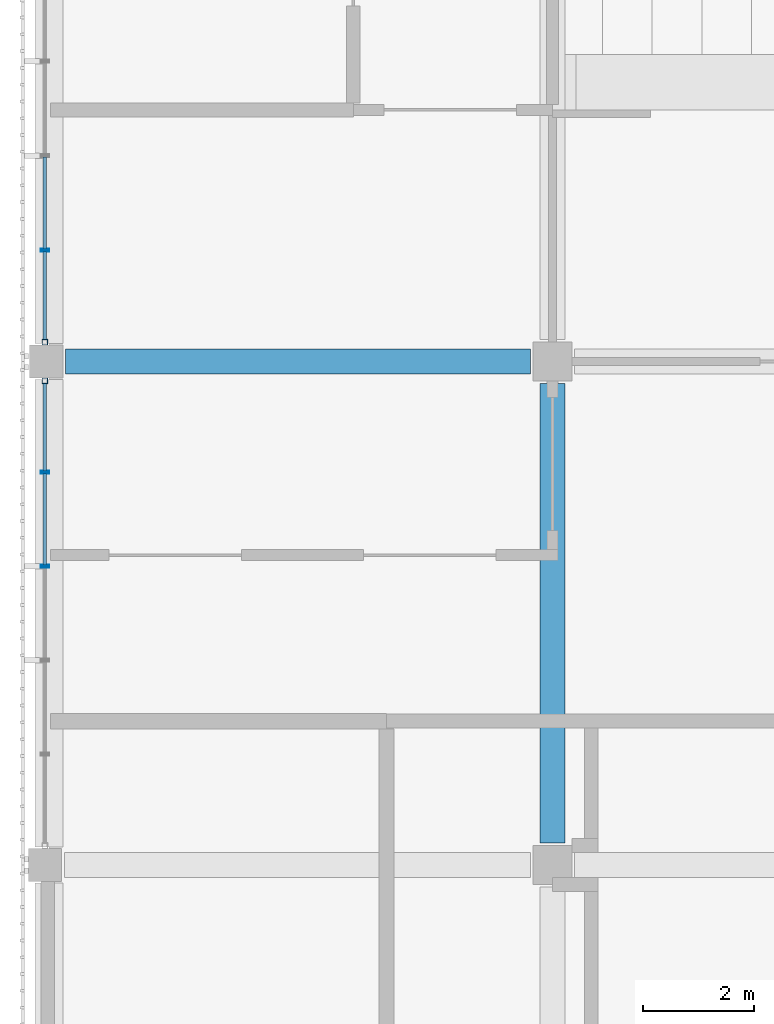
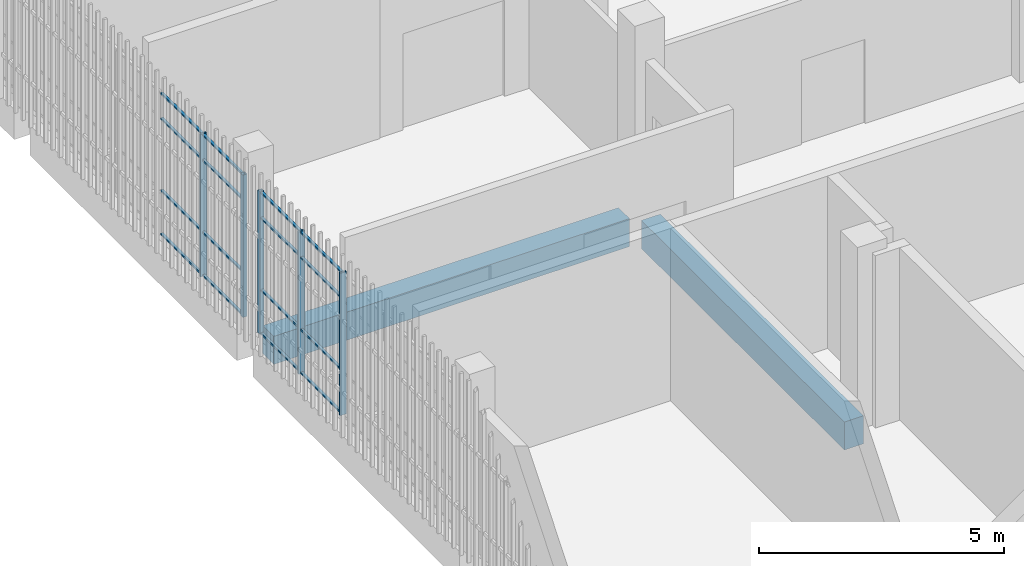
# One storey, part 14 of 139: 21 members, 2 beams, 2 elements without a shape of their own.
"""IFC4 building model written with IfcOpenShell, lengths in metres."""

import ifcopenshell
import ifcopenshell.guid

model = None  # the IFC model being written
_history = None  # IfcOwnerHistory: only IFC2X3 demands one
_inside = {}  # id of a spatial element -> (the spatial element, [elements in it])
_under = {}  # id of a project, library or spatial element -> (it, [spatial elements below it])
_declared = {}  # id of a project -> (the project, [libraries it declares])
_typed = {}  # id of a type object -> (the type object, [elements of that type])
_made_of = {}  # id of a material, layer set ... -> (it, [elements and type objects made of it])


def new_model(schema):
    """Start an empty IFC model of exactly this schema.

    Asked for "IFC4X3", IfcOpenShell would pick the latest addendum, in which some entities
    have other attributes; the version numbers below select the first issue.
    IFC2X3 requires an IfcOwnerHistory on every rooted entity: one is made here for all.
    """
    global model, _history
    if schema == "IFC4X3":
        model = ifcopenshell.file(schema_version=(4, 3, 0, 0))
    else:
        model = ifcopenshell.file(schema=schema)
    _inside.clear()
    _under.clear()
    _declared.clear()
    _typed.clear()
    _made_of.clear()
    _history = None
    if model.schema == "IFC2X3":
        org = make("IfcOrganization", Name="unknown")
        user = make(
            "IfcPersonAndOrganization",
            ThePerson=make("IfcPerson", FamilyName="unknown"),
            TheOrganization=org,
        )
        app = make(
            "IfcApplication",
            ApplicationDeveloper=org,
            Version="unknown",
            ApplicationFullName="unknown",
            ApplicationIdentifier="unknown",
        )
        _history = make(
            "IfcOwnerHistory",
            OwningUser=user,
            OwningApplication=app,
            ChangeAction="ADDED",
            CreationDate=0,
        )
    return model


def make(cls, **values):
    """One entity of the class cls with the attributes given. An attribute that is None is left unset."""
    return model.create_entity(
        cls, **{name: value for name, value in values.items() if value is not None}
    )


def rooted(cls, **values):
    """An entity with a GlobalId (a new one), such as an element, a storey or a relation."""
    return make(cls, GlobalId=ifcopenshell.guid.new(), OwnerHistory=_history, **values)


def si_unit(unit_type, name, prefix=None):
    """IfcSIUnit, for example si_unit("LENGTHUNIT", "METRE", prefix="MILLI")."""
    return make("IfcSIUnit", UnitType=unit_type, Prefix=prefix, Name=name)


def assignment(units):
    """IfcUnitAssignment: the units of a project."""
    return None if units is None else make("IfcUnitAssignment", Units=units)


def point(xyz):
    """IfcCartesianPoint."""
    return None if xyz is None else make("IfcCartesianPoint", Coordinates=xyz)


def direction(xyz):
    """IfcDirection."""
    return None if xyz is None else make("IfcDirection", DirectionRatios=xyz)


def frame(location, z_axis=None, x_axis=None):
    """IfcAxis2Placement3D, a coordinate frame: its origin and axes. An axis left out is left unset."""
    return make(
        "IfcAxis2Placement3D",
        Location=point(location),
        Axis=direction(z_axis),
        RefDirection=direction(x_axis),
    )


def frame_2d(location, x_axis=None):
    """IfcAxis2Placement2D, a coordinate frame in the plane: its origin and x axis."""
    return make(
        "IfcAxis2Placement2D", Location=point(location), RefDirection=direction(x_axis)
    )


def origin():
    """The frame at (0, 0, 0) with its axes left unset."""
    return frame((0.0, 0.0, 0.0))


def origin_2d():
    """The frame at (0, 0) in the plane with its x axis left unset."""
    return frame_2d((0.0, 0.0))


def place(relative_to, where):
    """IfcLocalPlacement: puts the frame where relative to a parent placement (None: the world)."""
    return make(
        "IfcLocalPlacement", PlacementRelTo=relative_to, RelativePlacement=where
    )


def context(
    kind, dimensions, precision=None, world=None, true_north=None, identifier=None
):
    """IfcGeometricRepresentationContext, for example the 3D "Model" context."""
    return make(
        "IfcGeometricRepresentationContext",
        ContextIdentifier=identifier,
        ContextType=kind,
        CoordinateSpaceDimension=dimensions,
        Precision=precision,
        WorldCoordinateSystem=world,
        TrueNorth=true_north,
    )


def subcontext(parent, identifier, kind, view, scale=None):
    """IfcGeometricRepresentationSubContext, for example "Body" below "Model"."""
    return make(
        "IfcGeometricRepresentationSubContext",
        ContextIdentifier=identifier,
        ContextType=kind,
        ParentContext=parent,
        TargetScale=scale,
        TargetView=view,
    )


def project(units=None, contexts=None):
    """IfcProject with its units and contexts."""
    return rooted(
        "IfcProject",
        Name="project",
        RepresentationContexts=contexts,
        UnitsInContext=assignment(units),
    )


def spatial(cls, under=None, at=None, **own):
    """A site, building, storey or space (cls), placed at a placement, below another one or the project."""
    s = rooted(cls, ObjectPlacement=at, **own)
    if under is not None:
        _under.setdefault(under.id(), (under, []))[1].append(s)
    return s


def profile(cls, at=None, kind="AREA", **sizes):
    """A parametric profile (cls). Its sizes go by their IFC names, for example OverallWidth=200.0."""
    return make(cls, ProfileType=kind, Position=at, **sizes)


def rectangle(**sizes):
    """IfcRectangleProfileDef."""
    return profile("IfcRectangleProfileDef", **sizes)


def hollow_rectangle(**sizes):
    """IfcRectangleHollowProfileDef."""
    return profile("IfcRectangleHollowProfileDef", **sizes)


def extrude(swept, where, along, depth):
    """IfcExtrudedAreaSolid: the profile swept, set in the frame where, extruded along a direction by depth."""
    return make(
        "IfcExtrudedAreaSolid",
        SweptArea=swept,
        Position=where,
        ExtrudedDirection=direction(along),
        Depth=depth,
    )


def shape(context_of_items, identifier, shape_type, items):
    """IfcShapeRepresentation: the items that make up one representation, for example the "Body"."""
    return make(
        "IfcShapeRepresentation",
        ContextOfItems=context_of_items,
        RepresentationIdentifier=identifier,
        RepresentationType=shape_type,
        Items=items,
    )


def material(Name=None, Category=None):
    """IfcMaterial."""
    return make("IfcMaterial", Name=Name, Category=Category)


def layer(
    of_material, thickness, ventilated=None, Name=None, Category=None, Priority=None
):
    """IfcMaterialLayer: one layer of a wall or slab, of a material (None: an air gap)."""
    return make(
        "IfcMaterialLayer",
        Material=of_material,
        LayerThickness=thickness,
        IsVentilated=ventilated,
        Name=Name,
        Category=Category,
        Priority=Priority,
    )


def layer_set(layers, Name=None):
    """IfcMaterialLayerSet."""
    return make("IfcMaterialLayerSet", MaterialLayers=layers, LayerSetName=Name)


def material_profile(
    of_material, cross_section, Name=None, Category=None, Priority=None
):
    """IfcMaterialProfile: a cross section and its material."""
    return make(
        "IfcMaterialProfile",
        Name=Name,
        Material=of_material,
        Profile=cross_section,
        Priority=Priority,
        Category=Category,
    )


def profile_set(profiles, Name=None, composite=None):
    """IfcMaterialProfileSet."""
    return make(
        "IfcMaterialProfileSet",
        Name=Name,
        MaterialProfiles=profiles,
        CompositeProfile=composite,
    )


def made_of(thing, what):
    """Note that an element or type object is made of a material, layer set ...; save() writes the relation."""
    if what is not None:
        _made_of.setdefault(what.id(), (what, []))[1].append(thing)
    return thing


def type_object(cls, material=None, **own):
    """A type object (cls), such as IfcWallType, which elements share."""
    return made_of(rooted(cls, **own), material)


def element(
    cls,
    number,
    at=None,
    inside=None,
    cuts=None,
    type_object=None,
    material=None,
    context=None,
    identifier="Body",
    shape_type=None,
    held_by="IfcProductDefinitionShape",
    body=None,
    shapes=None,
    **own,
):
    """One element of the class cls, such as IfcWall. Its Tag is "e" and its number.

    at: its placement. inside: the storey or other place that contains it. cuts: it is an
    opening in that element (IfcRelVoidsElement). A single representation is given by context,
    identifier, shape_type and body (its items); several are given by shapes. held_by: the class
    of the entity that holds the representations. save() writes the other relations.
    """
    e = rooted(cls, Tag="e%d" % number, ObjectPlacement=at, **own)
    if body is not None:
        shapes = [shape(context, identifier, shape_type, body)]
    if shapes is not None:
        e.Representation = make(held_by, Representations=shapes)
    if inside is not None:
        _inside.setdefault(inside.id(), (inside, []))[1].append(e)
    if cuts is not None:
        rooted(
            "IfcRelVoidsElement", RelatingBuildingElement=cuts, RelatedOpeningElement=e
        )
    if type_object is not None:
        _typed.setdefault(type_object.id(), (type_object, []))[1].append(e)
    return made_of(e, material)


def aggregate(whole, parts):
    """IfcRelAggregates: a whole, such as a stair, and the parts it consists of."""
    return rooted("IfcRelAggregates", RelatingObject=whole, RelatedObjects=parts)


def save(model, path):
    """Write the relations noted so far, then the file.

    IfcRelAggregates (storeys below a building ...), IfcRelContainedInSpatialStructure (elements
    in a storey), IfcRelDefinesByType, IfcRelAssociatesMaterial and IfcRelDeclares: one each for
    every whole, place, type object, material and project.
    """
    for whole, parts in _under.values():
        aggregate(whole, parts)
    for where, things in _inside.values():
        rooted(
            "IfcRelContainedInSpatialStructure",
            RelatedElements=things,
            RelatingStructure=where,
        )
    for kind, things in _typed.values():
        rooted("IfcRelDefinesByType", RelatedObjects=things, RelatingType=kind)
    for what, things in _made_of.values():
        rooted("IfcRelAssociatesMaterial", RelatedObjects=things, RelatingMaterial=what)
    for by, libraries in _declared.values():
        rooted("IfcRelDeclares", RelatingContext=by, RelatedDefinitions=libraries)
    model.write(path)


model = new_model("IFC4")

# Units and contexts
model_context = context("Model", 3, precision=1e-05, world=origin(), true_north=direction((0.0, 1.0)))
body_context = subcontext(model_context, "Body", "Model", "MODEL_VIEW")
ifc_project = project(units=[si_unit("LENGTHUNIT", "METRE"), si_unit("AREAUNIT", "SQUARE_METRE"), si_unit("VOLUMEUNIT", "CUBIC_METRE"), si_unit("PLANEANGLEUNIT", "RADIAN"), si_unit("MASSUNIT", "GRAM", prefix="KILO")], contexts=[model_context])

# Site, building, storey
site_placement = place(None, origin())
site = spatial("IfcSite", under=ifc_project, at=site_placement, CompositionType="ELEMENT")
building_placement = place(site_placement, origin())
building = spatial("IfcBuilding", under=site, at=building_placement, Name="Shirokan Park Arena", CompositionType="ELEMENT")
storey_placement = place(building_placement, frame((0.0, 0.0, 15.469970703125)))
storey = spatial("IfcBuildingStorey", under=building, at=storey_placement, Name="L03", CompositionType="ELEMENT", Elevation=15.469970703125)

# Curtain wall, member
ifc_material_1 = material(Name="Steel and glass curtain wall", Category="steel")
ifc_layer = layer(ifc_material_1, 0.14990234375)
ifc_layer_set = layer_set([ifc_layer], Name="Steel and glass curtain wall 150 mm")
curtain_wall_type = type_object("IfcCurtainWallType", Name="Curtain wall exposed bay 150", PredefinedType="NOTDEFINED", material=ifc_layer_set)
curtain_wall_1_placement = place(storey_placement, origin())
curtain_wall_1 = element("IfcCurtainWall", 1, at=curtain_wall_1_placement, inside=storey, type_object=curtain_wall_type, Name="Curtain wall west bay 8 L03", PredefinedType="NOTDEFINED")
ifc_material_2 = material(Name="Steel S355", Category="steel")
ifc_material_profile_1 = material_profile(ifc_material_2, hollow_rectangle(XDim=0.10009765625, YDim=0.10009765625, WallThickness=0.006103515625, at=origin_2d()), Name="RHS 100x100x6")
ifc_profile_set_1 = profile_set([ifc_material_profile_1], Name="Steel S355")
member_type_1 = type_object("IfcMemberType", Name="Mullion RHS 100x100x6", PredefinedType="MULLION", material=ifc_profile_set_1)
member_1_placement = place(storey_placement, frame((-0.074951171875, 36.75, 0.0), z_axis=(0.0, 0.0, 1.0), x_axis=(1.0, 0.0, 0.0)))
member_1 = element("IfcMember", 2, at=member_1_placement, type_object=member_type_1, Name="CW1 mullion 6", PredefinedType="MULLION", context=body_context, shape_type="SweptSolid", body=[
    extrude(hollow_rectangle(XDim=0.10009765625, YDim=0.10009765625, WallThickness=0.006103515625, at=origin_2d()), origin(), (0.0, 0.0, 1.0), 3.550048828125),
])

curtain_wall_2_placement = place(storey_placement, origin())
curtain_wall_2 = element("IfcCurtainWall", 3, at=curtain_wall_2_placement, inside=storey, type_object=curtain_wall_type, Name="Curtain wall west bay 9 L03", PredefinedType="NOTDEFINED")
member_2_placement = place(storey_placement, frame((-0.074951171875, 36.050048828125, 0.0), z_axis=(0.0, 0.0, 1.0), x_axis=(1.0, 0.0, 0.0)))
member_2 = element("IfcMember", 4, at=member_2_placement, type_object=member_type_1, Name="CW1 mullion 1", PredefinedType="MULLION", context=body_context, shape_type="SweptSolid", body=[
    extrude(hollow_rectangle(XDim=0.10009765625, YDim=0.10009765625, WallThickness=0.006103515625, at=origin_2d()), origin(), (0.0, 0.0, 1.0), 3.550048828125),
])

# Member
ifc_material_profile_2 = material_profile(ifc_material_2, hollow_rectangle(XDim=0.14990234375, YDim=0.050048828125, WallThickness=0.006103515625, at=origin_2d()), Name="RHS 150x50x6")
ifc_profile_set_2 = profile_set([ifc_material_profile_2], Name="Steel S355")
member_type_2 = type_object("IfcMemberType", Name="Mullion RHS 150x50x6", PredefinedType="MULLION", material=ifc_profile_set_2)
member_3_placement = place(storey_placement, frame((-0.074951171875, 38.409912109375, 0.0), z_axis=(0.0, 0.0, 1.0), x_axis=(1.0, 0.0, 0.0)))
member_3 = element("IfcMember", 5, at=member_3_placement, type_object=member_type_2, Name="CW1 mullion 5", PredefinedType="MULLION", context=body_context, shape_type="SweptSolid", body=[
    extrude(hollow_rectangle(XDim=0.14990234375, YDim=0.050048828125, WallThickness=0.006103515625, at=origin_2d()), origin(), (0.0, 0.0, 1.0), 3.550048828125),
])

member_4_placement = place(storey_placement, frame((-0.074951171875, 34.39990234375, 0.0), z_axis=(0.0, 0.0, 1.0), x_axis=(1.0, 0.0, 0.0)))
member_4 = element("IfcMember", 6, at=member_4_placement, type_object=member_type_2, Name="CW1 mullion 2", PredefinedType="MULLION", context=body_context, shape_type="SweptSolid", body=[
    extrude(hollow_rectangle(XDim=0.14990234375, YDim=0.050048828125, WallThickness=0.006103515625, at=origin_2d()), origin(), (0.0, 0.0, 1.0), 3.550048828125),
])

member_5_placement = place(storey_placement, frame((-0.074951171875, 32.699951171875, 0.0), z_axis=(0.0, 0.0, 1.0), x_axis=(1.0, 0.0, 0.0)))
member_5 = element("IfcMember", 7, at=member_5_placement, type_object=member_type_2, Name="CW1 mullion 3", PredefinedType="MULLION", context=body_context, shape_type="SweptSolid", body=[
    extrude(hollow_rectangle(XDim=0.14990234375, YDim=0.050048828125, WallThickness=0.006103515625, at=origin_2d()), origin(), (0.0, 0.0, 1.0), 3.550048828125),
])

# Beams
ifc_material_3 = material(Name="Concrete C35", Category="concrete")
ifc_material_profile_3 = material_profile(ifc_material_3, rectangle(XDim=0.449951171875, YDim=0.699951171875, at=origin_2d()), Name="450x700")
ifc_profile_set_3 = profile_set([ifc_material_profile_3], Name="Concrete C35")
beam_type = type_object("IfcBeamType", Name="RC girder 450x700", PredefinedType="BEAM", material=ifc_profile_set_3)
beam_1_placement = place(storey_placement, frame((0.300048828125, 36.39990234375, -0.64990234375), z_axis=(1.0, 0.0, 0.0), x_axis=(0.0, 1.0, 0.0)))
element("IfcBeam", 8, at=beam_1_placement, inside=storey, type_object=beam_type, Name="Girder 1E-2E L03", PredefinedType="BEAM", context=body_context, shape_type="SweptSolid", body=[
    extrude(rectangle(XDim=0.449951171875, YDim=0.699951171875, at=origin_2d()), origin(), (0.0, 0.0, 1.0), 8.39990234375),
])
beam_2_placement = place(storey_placement, frame((9.10009765625, 27.7001953125, -0.64990234375), z_axis=(0.0, 1.0, 0.0), x_axis=(-1.0, 0.0, 0.0)))
element("IfcBeam", 9, at=beam_2_placement, inside=storey, type_object=beam_type, Name="Girder 2D-2E L03", PredefinedType="BEAM", context=body_context, shape_type="SweptSolid", body=[
    extrude(rectangle(XDim=0.449951171875, YDim=0.699951171875, at=origin_2d()), origin(), (0.0, 0.0, 1.0), 8.2998046875),
])

# Member
ifc_material_profile_4 = material_profile(ifc_material_2, hollow_rectangle(XDim=0.06005859375, YDim=0.0400390625, WallThickness=0.00390625, at=origin_2d()), Name="RHS 60x40x4")
ifc_profile_set_4 = profile_set([ifc_material_profile_4], Name="Steel S355")
member_type_3 = type_object("IfcMemberType", Name="Transom RHS 60x40x4", PredefinedType="MULLION", material=ifc_profile_set_4)
member_6_placement = place(storey_placement, frame((-0.074951171875, 40.094970703125, 0.02001953125), z_axis=(0.0, -1.0, 0.0), x_axis=(1.0, 0.0, 0.0)))
member_6 = element("IfcMember", 10, at=member_6_placement, type_object=member_type_3, Name="CW1 transom 4.1", PredefinedType="MULLION", context=body_context, shape_type="SweptSolid", body=[
    extrude(hollow_rectangle(XDim=0.06005859375, YDim=0.0400390625, WallThickness=0.00390625, at=origin_2d()), origin(), (0.0, 0.0, 1.0), 1.659912109375),
])

member_7_placement = place(storey_placement, frame((-0.074951171875, 40.094970703125, 1.10009765625), z_axis=(0.0, -1.0, 0.0), x_axis=(1.0, 0.0, 0.0)))
member_7 = element("IfcMember", 11, at=member_7_placement, type_object=member_type_3, Name="CW1 transom 4.2", PredefinedType="MULLION", context=body_context, shape_type="SweptSolid", body=[
    extrude(hollow_rectangle(XDim=0.06005859375, YDim=0.0400390625, WallThickness=0.00390625, at=origin_2d()), origin(), (0.0, 0.0, 1.0), 1.659912109375),
])

member_8_placement = place(storey_placement, frame((-0.074951171875, 40.094970703125, 2.900146484375), z_axis=(0.0, -1.0, 0.0), x_axis=(1.0, 0.0, 0.0)))
member_8 = element("IfcMember", 12, at=member_8_placement, type_object=member_type_3, Name="CW1 transom 4.3", PredefinedType="MULLION", context=body_context, shape_type="SweptSolid", body=[
    extrude(hollow_rectangle(XDim=0.06005859375, YDim=0.0400390625, WallThickness=0.00390625, at=origin_2d()), origin(), (0.0, 0.0, 1.0), 1.659912109375),
])

member_9_placement = place(storey_placement, frame((-0.074951171875, 40.094970703125, 3.530029296875), z_axis=(0.0, -1.0, 0.0), x_axis=(1.0, 0.0, 0.0)))
member_9 = element("IfcMember", 13, at=member_9_placement, type_object=member_type_3, Name="CW1 transom 4.4", PredefinedType="MULLION", context=body_context, shape_type="SweptSolid", body=[
    extrude(hollow_rectangle(XDim=0.06005859375, YDim=0.0400390625, WallThickness=0.00390625, at=origin_2d()), origin(), (0.0, 0.0, 1.0), 1.659912109375),
])

member_10_placement = place(storey_placement, frame((-0.074951171875, 38.385009765625, 0.02001953125), z_axis=(0.0, -1.0, 0.0), x_axis=(1.0, 0.0, 0.0)))
member_10 = element("IfcMember", 14, at=member_10_placement, type_object=member_type_3, Name="CW1 transom 5.1", PredefinedType="MULLION", context=body_context, shape_type="SweptSolid", body=[
    extrude(hollow_rectangle(XDim=0.06005859375, YDim=0.0400390625, WallThickness=0.00390625, at=origin_2d()), origin(), (0.0, 0.0, 1.0), 1.5849609375),
])

member_11_placement = place(storey_placement, frame((-0.074951171875, 38.385009765625, 1.10009765625), z_axis=(0.0, -1.0, 0.0), x_axis=(1.0, 0.0, 0.0)))
member_11 = element("IfcMember", 15, at=member_11_placement, type_object=member_type_3, Name="CW1 transom 5.2", PredefinedType="MULLION", context=body_context, shape_type="SweptSolid", body=[
    extrude(hollow_rectangle(XDim=0.06005859375, YDim=0.0400390625, WallThickness=0.00390625, at=origin_2d()), origin(), (0.0, 0.0, 1.0), 1.5849609375),
])

member_12_placement = place(storey_placement, frame((-0.074951171875, 38.385009765625, 2.900146484375), z_axis=(0.0, -1.0, 0.0), x_axis=(1.0, 0.0, 0.0)))
member_12 = element("IfcMember", 16, at=member_12_placement, type_object=member_type_3, Name="CW1 transom 5.3", PredefinedType="MULLION", context=body_context, shape_type="SweptSolid", body=[
    extrude(hollow_rectangle(XDim=0.06005859375, YDim=0.0400390625, WallThickness=0.00390625, at=origin_2d()), origin(), (0.0, 0.0, 1.0), 1.5849609375),
])

member_13_placement = place(storey_placement, frame((-0.074951171875, 38.385009765625, 3.530029296875), z_axis=(0.0, -1.0, 0.0), x_axis=(1.0, 0.0, 0.0)))
member_13 = element("IfcMember", 17, at=member_13_placement, type_object=member_type_3, Name="CW1 transom 5.4", PredefinedType="MULLION", context=body_context, shape_type="SweptSolid", body=[
    extrude(hollow_rectangle(XDim=0.06005859375, YDim=0.0400390625, WallThickness=0.00390625, at=origin_2d()), origin(), (0.0, 0.0, 1.0), 1.5849609375),
])

aggregate(curtain_wall_1, [member_3, member_1, member_6, member_7, member_8, member_9, member_10, member_11, member_12, member_13])

member_14_placement = place(storey_placement, frame((-0.074951171875, 36.0, 0.02001953125), z_axis=(0.0, -1.0, 0.0), x_axis=(1.0, 0.0, 0.0)))
member_14 = element("IfcMember", 18, at=member_14_placement, type_object=member_type_3, Name="CW1 transom 1.1", PredefinedType="MULLION", context=body_context, shape_type="SweptSolid", body=[
    extrude(hollow_rectangle(XDim=0.06005859375, YDim=0.0400390625, WallThickness=0.00390625, at=origin_2d()), origin(), (0.0, 0.0, 1.0), 1.574951171875),
])

member_15_placement = place(storey_placement, frame((-0.074951171875, 36.0, 1.10009765625), z_axis=(0.0, -1.0, 0.0), x_axis=(1.0, 0.0, 0.0)))
member_15 = element("IfcMember", 19, at=member_15_placement, type_object=member_type_3, Name="CW1 transom 1.2", PredefinedType="MULLION", context=body_context, shape_type="SweptSolid", body=[
    extrude(hollow_rectangle(XDim=0.06005859375, YDim=0.0400390625, WallThickness=0.00390625, at=origin_2d()), origin(), (0.0, 0.0, 1.0), 1.574951171875),
])

member_16_placement = place(storey_placement, frame((-0.074951171875, 36.0, 2.900146484375), z_axis=(0.0, -1.0, 0.0), x_axis=(1.0, 0.0, 0.0)))
member_16 = element("IfcMember", 20, at=member_16_placement, type_object=member_type_3, Name="CW1 transom 1.3", PredefinedType="MULLION", context=body_context, shape_type="SweptSolid", body=[
    extrude(hollow_rectangle(XDim=0.06005859375, YDim=0.0400390625, WallThickness=0.00390625, at=origin_2d()), origin(), (0.0, 0.0, 1.0), 1.574951171875),
])

member_17_placement = place(storey_placement, frame((-0.074951171875, 36.0, 3.530029296875), z_axis=(0.0, -1.0, 0.0), x_axis=(1.0, 0.0, 0.0)))
member_17 = element("IfcMember", 21, at=member_17_placement, type_object=member_type_3, Name="CW1 transom 1.4", PredefinedType="MULLION", context=body_context, shape_type="SweptSolid", body=[
    extrude(hollow_rectangle(XDim=0.06005859375, YDim=0.0400390625, WallThickness=0.00390625, at=origin_2d()), origin(), (0.0, 0.0, 1.0), 1.574951171875),
])

member_18_placement = place(storey_placement, frame((-0.074951171875, 34.375, 0.02001953125), z_axis=(0.0, -1.0, 0.0), x_axis=(1.0, 0.0, 0.0)))
member_18 = element("IfcMember", 22, at=member_18_placement, type_object=member_type_3, Name="CW1 transom 2.1", PredefinedType="MULLION", context=body_context, shape_type="SweptSolid", body=[
    extrude(hollow_rectangle(XDim=0.06005859375, YDim=0.0400390625, WallThickness=0.00390625, at=origin_2d()), origin(), (0.0, 0.0, 1.0), 1.64990234375),
])

member_19_placement = place(storey_placement, frame((-0.074951171875, 34.375, 1.10009765625), z_axis=(0.0, -1.0, 0.0), x_axis=(1.0, 0.0, 0.0)))
member_19 = element("IfcMember", 23, at=member_19_placement, type_object=member_type_3, Name="CW1 transom 2.2", PredefinedType="MULLION", context=body_context, shape_type="SweptSolid", body=[
    extrude(hollow_rectangle(XDim=0.06005859375, YDim=0.0400390625, WallThickness=0.00390625, at=origin_2d()), origin(), (0.0, 0.0, 1.0), 1.64990234375),
])

member_20_placement = place(storey_placement, frame((-0.074951171875, 34.375, 2.900146484375), z_axis=(0.0, -1.0, 0.0), x_axis=(1.0, 0.0, 0.0)))
member_20 = element("IfcMember", 24, at=member_20_placement, type_object=member_type_3, Name="CW1 transom 2.3", PredefinedType="MULLION", context=body_context, shape_type="SweptSolid", body=[
    extrude(hollow_rectangle(XDim=0.06005859375, YDim=0.0400390625, WallThickness=0.00390625, at=origin_2d()), origin(), (0.0, 0.0, 1.0), 1.64990234375),
])

member_21_placement = place(storey_placement, frame((-0.074951171875, 34.375, 3.530029296875), z_axis=(0.0, -1.0, 0.0), x_axis=(1.0, 0.0, 0.0)))
member_21 = element("IfcMember", 25, at=member_21_placement, type_object=member_type_3, Name="CW1 transom 2.4", PredefinedType="MULLION", context=body_context, shape_type="SweptSolid", body=[
    extrude(hollow_rectangle(XDim=0.06005859375, YDim=0.0400390625, WallThickness=0.00390625, at=origin_2d()), origin(), (0.0, 0.0, 1.0), 1.64990234375),
])

aggregate(curtain_wall_2, [member_2, member_4, member_5, member_14, member_15, member_16, member_17, member_18, member_19, member_20, member_21])

save(model, "model.ifc")
